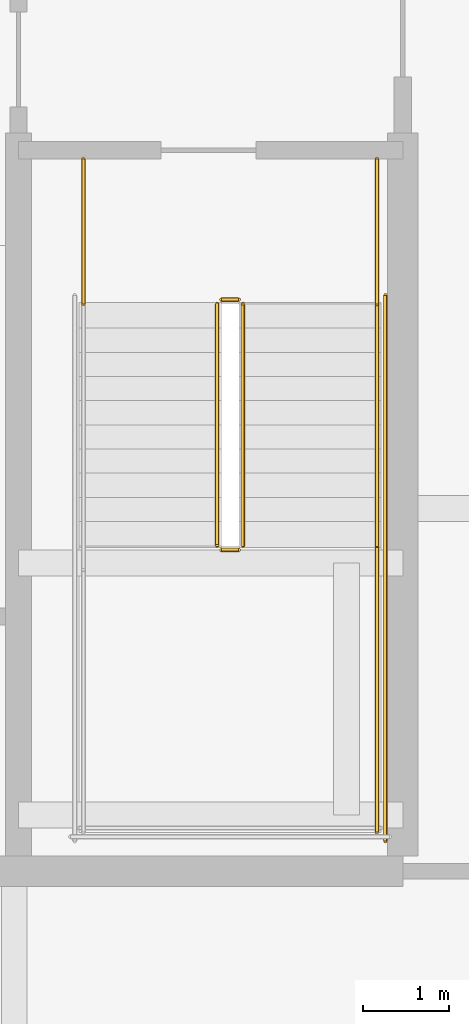
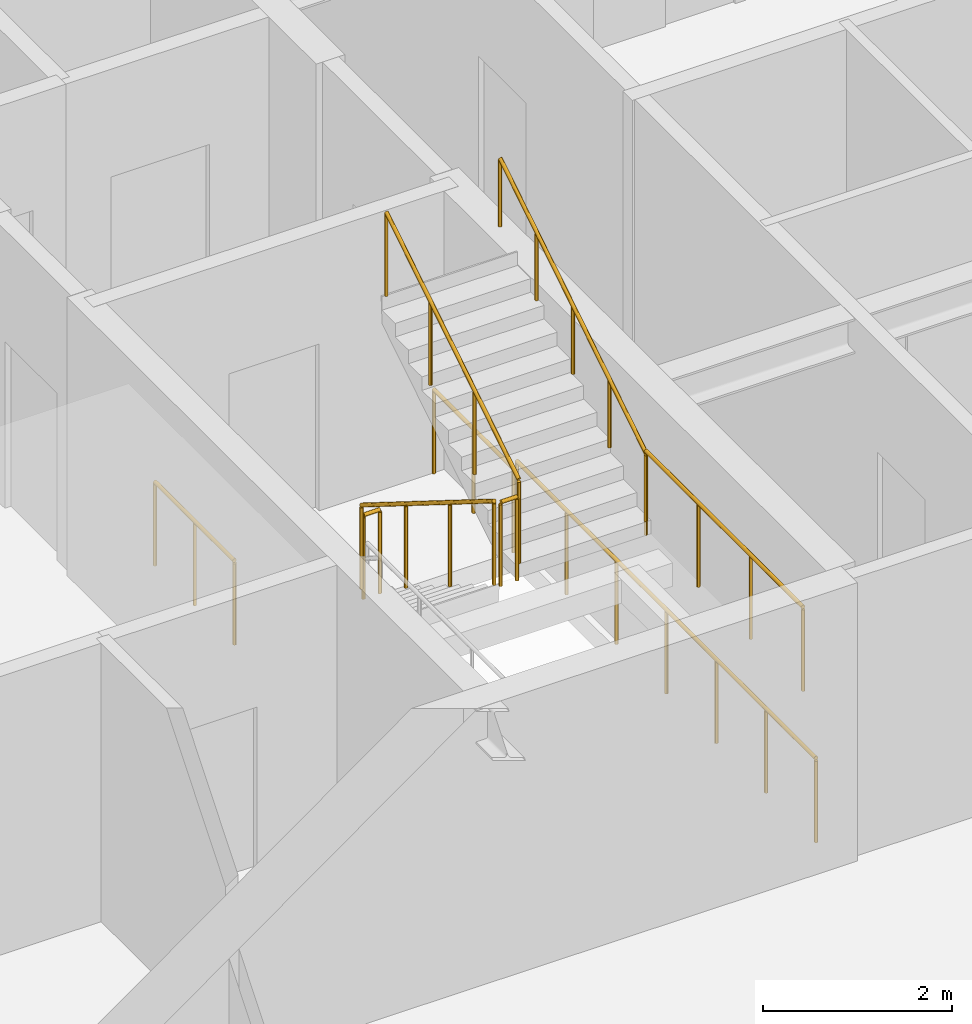
# One storey, part 35 of 36: 9 railings.
"""IFC4 building model written with IfcOpenShell, lengths in metres."""

from ifc_helpers import new_model, si_unit, direction, frame, origin, origin_2d, place, context, subcontext, project, spatial, circle, extrude, material, type_object, element, save


model = new_model("IFC4")

# Units and contexts
model_context = context("Model", 3, precision=1e-05, world=origin(), true_north=direction((0.0, 1.0)))
body_context = subcontext(model_context, "Body", "Model", "MODEL_VIEW")
ifc_project = project(units=[si_unit("LENGTHUNIT", "METRE"), si_unit("AREAUNIT", "SQUARE_METRE"), si_unit("VOLUMEUNIT", "CUBIC_METRE"), si_unit("PLANEANGLEUNIT", "RADIAN"), si_unit("MASSUNIT", "GRAM", prefix="KILO")], contexts=[model_context])

# Site, building, storey
site_placement = place(None, origin())
site = spatial("IfcSite", under=ifc_project, at=site_placement, CompositionType="ELEMENT")
building_placement = place(site_placement, origin())
building = spatial("IfcBuilding", under=site, at=building_placement, Name="Serunith Strait Residences", CompositionType="ELEMENT")
storey_placement = place(building_placement, frame((0.0, 0.0, 272.050048828125)))
storey = spatial("IfcBuildingStorey", under=building, at=storey_placement, Name="L68", CompositionType="ELEMENT", Elevation=272.050048828125)

# Railings
ifc_material = material(Name="Brushed stainless steel 316L", Category="steel")
railing_type_1 = type_object("IfcRailingType", Name="RLG-STAIR-GUARD", PredefinedType="BALUSTRADE", material=ifc_material)
railing_1_placement = place(storey_placement, frame((39.25, 23.3701171875, 0.175048828125)))
element("IfcRailing", 1, at=railing_1_placement, inside=storey, type_object=railing_type_1, Name="L68 ST-2 stair guard 1", PredefinedType="BALUSTRADE", context=body_context, shape_type="SweptSolid", body=[
    extrude(circle(Radius=0.02392578125, at=origin_2d()), frame((0.0, -0.001708984375, 1.0771484375), z_axis=(0.0, -0.848002457836, 0.529992293815), x_axis=(1.0, 0.0, 0.0)), (0.0, 0.0, 1.0), 3.2978515625),
    extrude(circle(Radius=0.02099609375, at=origin_2d()), origin(), (0.0, 0.0, 1.0), 1.050048828125),
    extrude(circle(Radius=0.02099609375, at=origin_2d()), frame((0.0, -0.933349609375, 0.583251953125)), (0.0, 0.0, 1.0), 1.050048828125),
    extrude(circle(Radius=0.02099609375, at=origin_2d()), frame((0.0, -1.86669921875, 1.166748046875)), (0.0, 0.0, 1.0), 1.050048828125),
    extrude(circle(Radius=0.02099609375, at=origin_2d()), frame((0.0, -2.800048828125, 1.75)), (0.0, 0.0, 1.0), 1.050048828125),
])
railing_2_placement = place(storey_placement, frame((39.300048828125, 20.52001953125, 1.925048828125)))
element("IfcRailing", 2, at=railing_2_placement, inside=storey, type_object=railing_type_1, Name="L68 ST-2 stair guard 2", PredefinedType="BALUSTRADE", context=body_context, shape_type="SweptSolid", body=[
    extrude(circle(Radius=0.02392578125, at=origin_2d()), frame((0.001953125, 0.0, 1.076171875), z_axis=(1.0, 0.0, 0.0), x_axis=(0.0, 1.0, 0.0)), (0.0, 0.0, 1.0), 0.196044921875),
    extrude(circle(Radius=0.02099609375, at=origin_2d()), origin(), (0.0, 0.0, 1.0), 1.050048828125),
    extrude(circle(Radius=0.02099609375, at=origin_2d()), frame((0.199951171875, 0.0, 0.0)), (0.0, 0.0, 1.0), 1.050048828125),
])
railing_3_placement = place(storey_placement, frame((41.10009765625, 20.570068359375, 1.925048828125)))
element("IfcRailing", 3, at=railing_3_placement, inside=storey, type_object=railing_type_1, Name="L68 ST-2 stair guard 4", PredefinedType="BALUSTRADE", context=body_context, shape_type="SweptSolid", body=[
    extrude(circle(Radius=0.02392578125, at=origin_2d()), frame((0.0, -0.001953125, 1.076171875), z_axis=(0.0, -1.0, 0.0), x_axis=(1.0, 0.0, 0.0)), (0.0, 0.0, 1.0), 3.316162109375),
    extrude(circle(Radius=0.02099609375, at=origin_2d()), origin(), (0.0, 0.0, 1.0), 1.050048828125),
    extrude(circle(Radius=0.02099609375, at=origin_2d()), frame((0.0, -1.106689453125, 0.0)), (0.0, 0.0, 1.0), 1.050048828125),
    extrude(circle(Radius=0.02099609375, at=origin_2d()), frame((0.0, -2.21337890625, 0.0)), (0.0, 0.0, 1.0), 1.050048828125),
    extrude(circle(Radius=0.02099609375, at=origin_2d()), frame((0.0, -3.320068359375, 0.0)), (0.0, 0.0, 1.0), 1.050048828125),
])
railing_4_placement = place(storey_placement, frame((39.550048828125, 20.570068359375, 2.099853515625)))
element("IfcRailing", 4, at=railing_4_placement, inside=storey, type_object=railing_type_1, Name="L68 ST-2 stair guard 6", PredefinedType="BALUSTRADE", context=body_context, shape_type="SweptSolid", body=[
    extrude(circle(Radius=0.02392578125, at=origin_2d()), frame((0.0, 0.001708984375, 1.0771484375), z_axis=(0.0, 0.848002457836, 0.529992293815), x_axis=(-1.0, 0.0, 0.0)), (0.0, 0.0, 1.0), 3.2978515625),
    extrude(circle(Radius=0.02099609375, at=origin_2d()), origin(), (0.0, 0.0, 1.0), 1.050048828125),
    extrude(circle(Radius=0.02099609375, at=origin_2d()), frame((0.0, 0.933349609375, 0.583251953125)), (0.0, 0.0, 1.0), 1.050048828125),
    extrude(circle(Radius=0.02099609375, at=origin_2d()), frame((0.0, 1.86669921875, 1.166748046875)), (0.0, 0.0, 1.0), 1.050048828125),
    extrude(circle(Radius=0.02099609375, at=origin_2d()), frame((0.0, 2.800048828125, 1.75)), (0.0, 0.0, 1.0), 1.050048828125),
])
railing_5_placement = place(storey_placement, frame((39.300048828125, 23.419921875, 0.0)))
element("IfcRailing", 5, at=railing_5_placement, inside=storey, type_object=railing_type_1, Name="L68 ST-2 stair guard 7", PredefinedType="BALUSTRADE", context=body_context, shape_type="SweptSolid", body=[
    extrude(circle(Radius=0.02392578125, at=origin_2d()), frame((0.001953125, 0.0, 1.076171875), z_axis=(1.0, 0.0, 0.0), x_axis=(0.0, 1.0, 0.0)), (0.0, 0.0, 1.0), 0.196044921875),
    extrude(circle(Radius=0.02099609375, at=origin_2d()), origin(), (0.0, 0.0, 1.0), 1.050048828125),
    extrude(circle(Radius=0.02099609375, at=origin_2d()), frame((0.199951171875, 0.0, 0.0)), (0.0, 0.0, 1.0), 1.050048828125),
])
for number, where, name in (
    (6, (37.699951171875, 25.050048828125, 0.0), "L68 ST-2 stair guard 8"),
    (7, (41.10009765625, 25.050048828125, 0.0), "L68 ST-2 stair guard 9"),
):
    element("IfcRailing", number, at=place(storey_placement, frame(where)), inside=storey, type_object=railing_type_1, Name=name, PredefinedType="BALUSTRADE", context=body_context, shape_type="SweptSolid", body=[
        extrude(circle(Radius=0.02392578125, at=origin_2d()), frame((0.0, -0.001953125, 1.076171875), z_axis=(0.0, -1.0, 0.0), x_axis=(1.0, 0.0, 0.0)), (0.0, 0.0, 1.0), 1.676025390625),
        extrude(circle(Radius=0.02099609375, at=origin_2d()), origin(), (0.0, 0.0, 1.0), 1.050048828125),
        extrude(circle(Radius=0.02099609375, at=origin_2d()), frame((0.0, -0.83984375, 0.0)), (0.0, 0.0, 1.0), 1.050048828125),
        extrude(circle(Radius=0.02099609375, at=origin_2d()), frame((0.0, -1.679931640625, 0.0)), (0.0, 0.0, 1.0), 1.050048828125),
    ])
railing_6_placement = place(storey_placement, frame((41.199951171875, 23.469970703125, 0.0)))
element("IfcRailing", 8, at=railing_6_placement, inside=storey, type_object=railing_type_1, Name="L68 ST-2 stair guard 11", PredefinedType="BALUSTRADE", context=body_context, shape_type="SweptSolid", body=[
    extrude(circle(Radius=0.02392578125, at=origin_2d()), frame((0.0, -0.001953125, 1.076171875), z_axis=(0.0, -1.0, 0.0), x_axis=(1.0, 0.0, 0.0)), (0.0, 0.0, 1.0), 6.316162109375),
    extrude(circle(Radius=0.02099609375, at=origin_2d()), origin(), (0.0, 0.0, 1.0), 1.050048828125),
    extrude(circle(Radius=0.02099609375, at=origin_2d()), frame((0.0, -1.05322265625, 0.0)), (0.0, 0.0, 1.0), 1.050048828125),
    extrude(circle(Radius=0.02099609375, at=origin_2d()), frame((0.0, -2.106689453125, 0.0)), (0.0, 0.0, 1.0), 1.050048828125),
    extrude(circle(Radius=0.02099609375, at=origin_2d()), frame((0.0, -3.16015625, 0.0)), (0.0, 0.0, 1.0), 1.050048828125),
    extrude(circle(Radius=0.02099609375, at=origin_2d()), frame((0.0, -4.21337890625, 0.0)), (0.0, 0.0, 1.0), 1.050048828125),
    extrude(circle(Radius=0.02099609375, at=origin_2d()), frame((0.0, -5.2666015625, 0.0)), (0.0, 0.0, 1.0), 1.050048828125),
    extrude(circle(Radius=0.02099609375, at=origin_2d()), frame((0.0, -6.320068359375, 0.0)), (0.0, 0.0, 1.0), 1.050048828125),
])
railing_type_2 = type_object("IfcRailingType", Name="RLG-STAIR-HR", PredefinedType="HANDRAIL", material=ifc_material)
railing_7_placement = place(storey_placement, frame((41.10009765625, 20.570068359375, 2.099853515625)))
element("IfcRailing", 9, at=railing_7_placement, inside=storey, type_object=railing_type_2, Name="L68 ST-2 stair handrail 2", PredefinedType="HANDRAIL", context=body_context, shape_type="SweptSolid", body=[
    extrude(circle(Radius=0.02392578125, at=origin_2d()), frame((0.0, 0.001708984375, 0.876953125), z_axis=(0.0, 0.847344832318, 0.531043063361), x_axis=(-1.0, 0.0, 0.0)), (0.0, 0.0, 1.0), 3.630615234375),
    extrude(circle(Radius=0.02099609375, at=origin_2d()), origin(), (0.0, 0.0, 1.0), 0.849853515625),
    extrude(circle(Radius=0.02099609375, at=origin_2d()), frame((0.0, 0.77001953125, 0.482421875)), (0.0, 0.0, 1.0), 0.849853515625),
    extrude(circle(Radius=0.02099609375, at=origin_2d()), frame((0.0, 1.5400390625, 0.965087890625)), (0.0, 0.0, 1.0), 0.849853515625),
    extrude(circle(Radius=0.02099609375, at=origin_2d()), frame((0.0, 2.309814453125, 1.44775390625)), (0.0, 0.0, 1.0), 0.849853515625),
    extrude(circle(Radius=0.02099609375, at=origin_2d()), frame((0.0, 3.079833984375, 1.93017578125)), (0.0, 0.0, 1.0), 0.849853515625),
])

save(model, "model.ifc")
